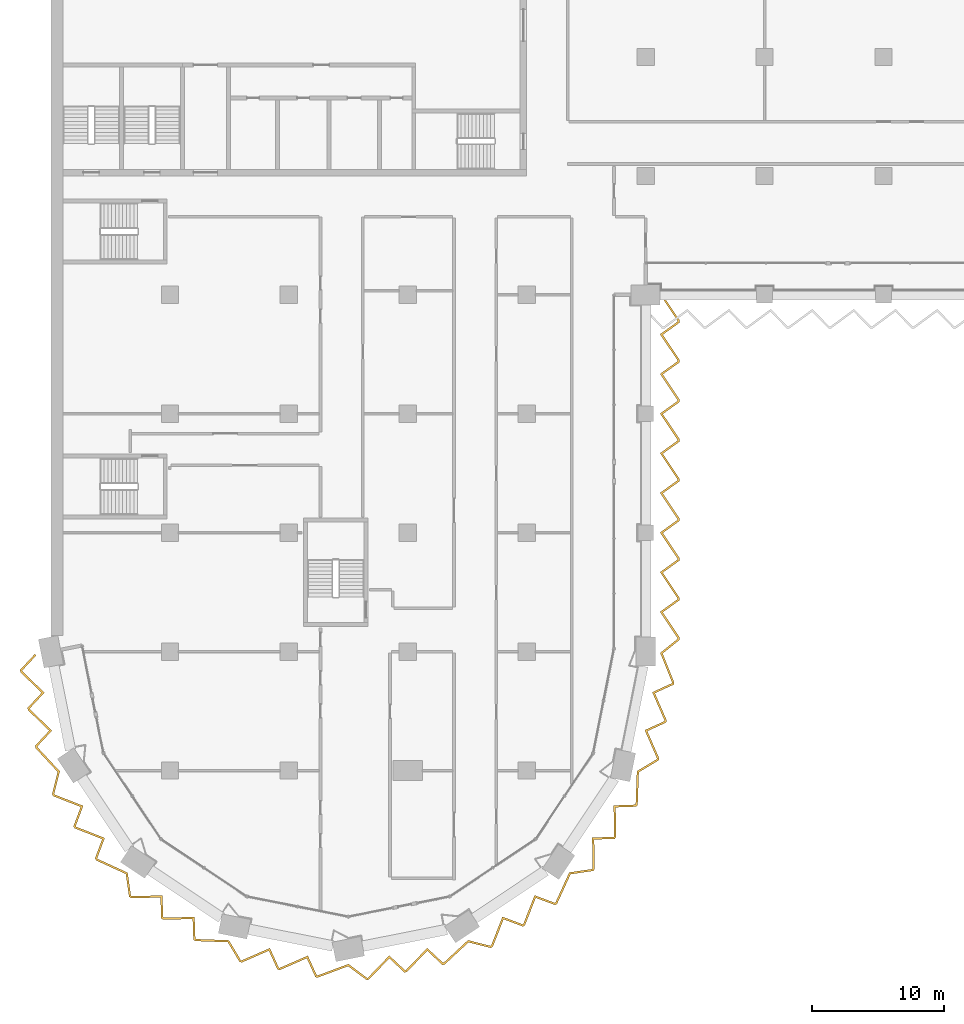
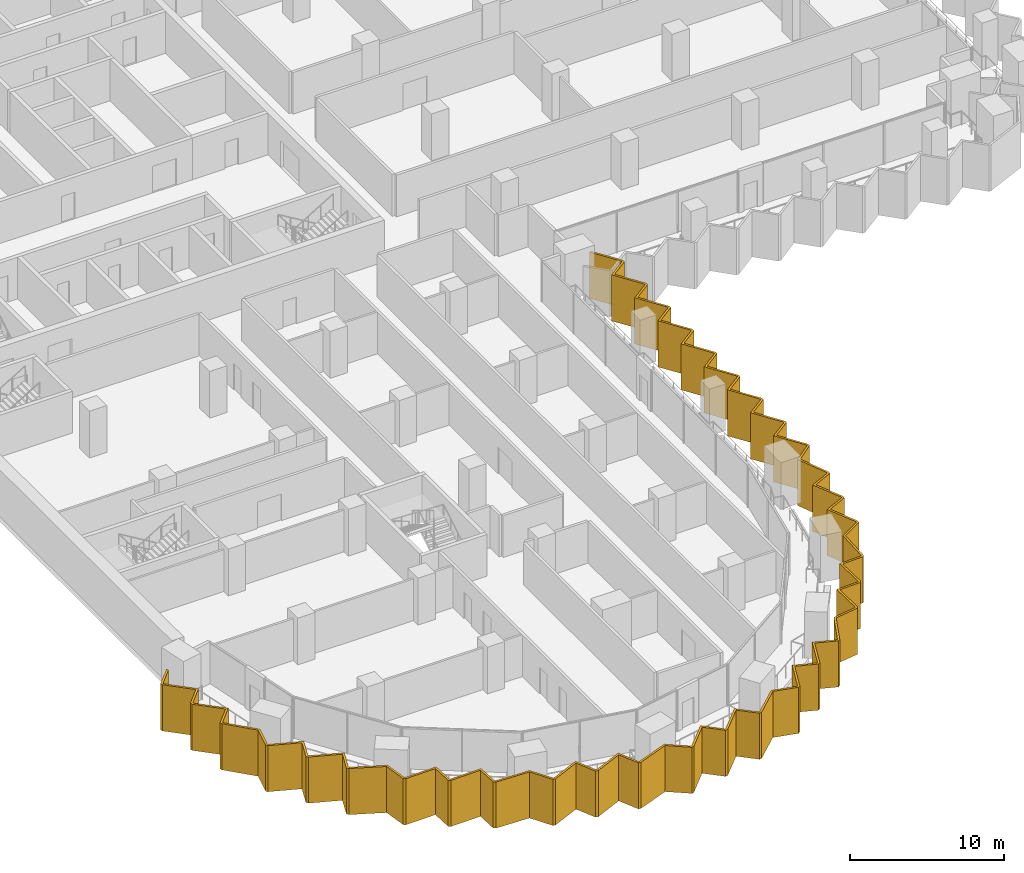
# One storey, part 19 of 23: 1 shading device.
"""IFC4 building model written with IfcOpenShell, lengths in metres."""

from ifc_helpers import new_model, si_unit, direction, frame, origin, place, context, subcontext, project, spatial, polyline, outline, extrude, material, layer, layer_set, type_object, element, save


model = new_model("IFC4")

# Units and contexts
model_context = context("Model", 3, precision=1e-05, world=origin(), true_north=direction((0.0, 1.0)))
body_context = subcontext(model_context, "Body", "Model", "MODEL_VIEW")
ifc_project = project(units=[si_unit("LENGTHUNIT", "METRE"), si_unit("AREAUNIT", "SQUARE_METRE"), si_unit("VOLUMEUNIT", "CUBIC_METRE"), si_unit("PLANEANGLEUNIT", "RADIAN"), si_unit("MASSUNIT", "GRAM", prefix="KILO")], contexts=[model_context])

# Site, building, storey
site_placement = place(None, origin())
site = spatial("IfcSite", under=ifc_project, at=site_placement, CompositionType="ELEMENT")
building_placement = place(site_placement, origin())
building = spatial("IfcBuilding", under=site, at=building_placement, Name="Hunhe Ridgeline Campus", CompositionType="ELEMENT")
storey_placement = place(building_placement, frame((0.0, 0.0, 121.800048828125)))
storey = spatial("IfcBuildingStorey", under=building, at=storey_placement, Name="L30", CompositionType="ELEMENT", Elevation=121.800048828125)

# Shading device
ifc_material = material(Name="Concrete C50", Category="concrete")
ifc_layer = layer(ifc_material, 0.14990234375)
ifc_layer_set = layer_set([ifc_layer], Name="Sawtooth concrete fin 150 Concrete C50")
shading_device_type = type_object("IfcShadingDeviceType", Name="Sawtooth concrete fin 150 Concrete C50", PredefinedType="USERDEFINED", material=ifc_layer_set)
shading_device_placement = place(storey_placement, frame((0.0, 0.0, -0.949951171875)))
element("IfcShadingDevice", 1, at=shading_device_placement, inside=storey, type_object=shading_device_type, Name="Concrete fin screen 1", ObjectType="FIN", PredefinedType="USERDEFINED", context=body_context, shape_type="SweptSolid", body=[
    extrude(outline(polyline([(-1.111083984375, 26.716796875), (-1.220947265625, 26.8193359375), (-2.339599609375, 25.620361328125), (-2.30419921875, 25.442138671875), (-0.7001953125, 23.895263671875), (-1.768798828125, 22.750244140625), (-1.7333984375, 22.572021484375), (-0.12939453125, 21.025146484375), (-1.197998046875, 19.880126953125), (-1.162841796875, 19.703857421875), (0.510009765625, 17.904541015625), (0.081787109375, 16.215576171875), (0.18017578125, 16.068359375), (2.25390625, 15.253173828125), (1.704833984375, 13.78662109375), (1.805908203125, 13.63525390625), (3.879638671875, 12.820068359375), (3.33056640625, 11.353515625), (3.430419921875, 11.203857421875), (5.66455078125, 10.181884765625), (5.915283203125, 8.45751953125), (6.0625, 8.359130859375), (8.290283203125, 8.3994140625), (8.34423828125, 6.83447265625), (8.49560546875, 6.7333984375), (10.7236328125, 6.773681640625), (10.777587890625, 5.208740234375), (10.927001953125, 5.10888671875), (13.38232421875, 5.019287109375), (14.273681640625, 3.522216796875), (14.447265625, 3.48779296875), (16.490234375, 4.377685546875), (17.138916015625, 2.952392578125), (17.3173828125, 2.916748046875), (19.3603515625, 3.806640625), (20.009033203125, 2.38134765625), (20.185302734375, 2.346435546875), (22.48779296875, 3.203369140625), (23.884521484375, 2.161376953125), (24.057861328125, 2.19580078125), (25.604736328125, 3.7998046875), (26.749755859375, 2.731201171875), (26.927978515625, 2.7666015625), (28.474853515625, 4.37060546875), (29.619873046875, 3.302001953125), (29.796142578125, 3.337158203125), (31.595458984375, 5.010009765625), (33.284423828125, 4.581787109375), (33.431640625, 4.68017578125), (34.246826171875, 6.75390625), (35.71337890625, 6.204833984375), (35.86474609375, 6.305908203125), (36.679931640625, 8.379638671875), (38.146484375, 7.83056640625), (38.296142578125, 7.930419921875), (39.318115234375, 10.16455078125), (41.04248046875, 10.415283203125), (41.140869140625, 10.5625), (41.1005859375, 12.790283203125), (42.66552734375, 12.84423828125), (42.7666015625, 12.99560546875), (42.726318359375, 15.2236328125), (44.291259765625, 15.277587890625), (44.39111328125, 15.427001953125), (44.480712890625, 17.88232421875), (45.977783203125, 18.773681640625), (46.01220703125, 18.947265625), (45.122314453125, 20.990234375), (46.547607421875, 21.638916015625), (46.583251953125, 21.8173828125), (45.693359375, 23.8603515625), (47.11865234375, 24.509033203125), (47.15380859375, 24.686279296875), (46.279052734375, 26.859375), (47.56396484375, 27.899169921875), (47.56396484375, 28.077880859375), (46.29150390625, 29.9814453125), (47.56396484375, 30.896484375), (47.56396484375, 31.077880859375), (46.29150390625, 32.9814453125), (47.56396484375, 33.896484375), (47.56396484375, 34.077880859375), (46.29150390625, 35.9814453125), (47.56396484375, 36.896484375), (47.56396484375, 37.077880859375), (46.29150390625, 38.9814453125), (47.56396484375, 39.896484375), (47.56396484375, 40.077880859375), (46.29150390625, 41.9814453125), (47.56396484375, 42.896484375), (47.56396484375, 43.077880859375), (46.29150390625, 44.9814453125), (47.56396484375, 45.896484375), (47.56396484375, 46.077880859375), (46.29150390625, 47.9814453125), (47.56396484375, 48.896484375), (47.56396484375, 49.077880859375), (46.29150390625, 50.9814453125), (47.56396484375, 51.896484375), (47.56396484375, 52.077880859375), (46.251220703125, 54.041748046875), (46.12646484375, 53.958251953125), (47.413818359375, 52.0322265625), (47.413818359375, 51.973388671875), (46.086181640625, 51.0185546875), (47.413818359375, 49.0322265625), (47.413818359375, 48.973388671875), (46.086181640625, 48.0185546875), (47.413818359375, 46.0322265625), (47.413818359375, 45.973388671875), (46.086181640625, 45.0185546875), (47.413818359375, 43.0322265625), (47.413818359375, 42.973388671875), (46.086181640625, 42.0185546875), (47.413818359375, 40.0322265625), (47.413818359375, 39.973388671875), (46.086181640625, 39.0185546875), (47.413818359375, 37.0322265625), (47.413818359375, 36.973388671875), (46.086181640625, 36.0185546875), (47.413818359375, 34.0322265625), (47.413818359375, 33.973388671875), (46.086181640625, 33.0185546875), (47.413818359375, 31.0322265625), (47.413818359375, 30.973388671875), (46.086181640625, 30.0185546875), (47.413818359375, 28.0322265625), (47.413818359375, 27.970703125), (46.0986328125, 26.90625), (46.998046875, 24.671875), (46.986572265625, 24.61376953125), (45.496826171875, 23.935546875), (46.427001953125, 21.800537109375), (46.41552734375, 21.74365234375), (44.926025390625, 21.0654296875), (45.85595703125, 18.930419921875), (45.84375, 18.868408203125), (44.333740234375, 17.96923828125), (44.242919921875, 15.474853515625), (44.20947265625, 15.4248046875), (42.57373046875, 15.368408203125), (42.61572265625, 13.039794921875), (42.58349609375, 12.99169921875), (40.947998046875, 12.935302734375), (40.989990234375, 10.606689453125), (40.955078125, 10.55419921875), (39.2158203125, 10.30126953125), (38.17724609375, 8.031494140625), (38.127197265625, 7.998046875), (36.594482421875, 8.572021484375), (35.7421875, 6.404541015625), (35.694091796875, 6.372314453125), (34.1611328125, 6.946044921875), (33.30908203125, 4.77880859375), (33.256591796875, 4.74365234375), (31.552978515625, 5.175537109375), (29.72509765625, 3.47607421875), (29.666015625, 3.46435546875), (28.469482421875, 4.5810546875), (26.852783203125, 2.904541015625), (26.7958984375, 2.893310546875), (25.599365234375, 4.010009765625), (23.982666015625, 2.333740234375), (23.920654296875, 2.321533203125), (22.51220703125, 3.372314453125), (20.1728515625, 2.501708984375), (20.11376953125, 2.513427734375), (19.435546875, 4.003173828125), (17.300537109375, 3.072998046875), (17.24365234375, 3.08447265625), (16.5654296875, 4.573974609375), (14.430419921875, 3.64404296875), (14.368408203125, 3.65625), (13.46923828125, 5.166259765625), (10.974853515625, 5.257080078125), (10.9248046875, 5.29052734375), (10.868408203125, 6.92626953125), (8.539794921875, 6.88427734375), (8.49169921875, 6.91650390625), (8.435302734375, 8.552001953125), (6.106689453125, 8.510009765625), (6.05419921875, 8.544921875), (5.80126953125, 10.2841796875), (3.531494140625, 11.32275390625), (3.498046875, 11.372802734375), (4.072021484375, 12.905517578125), (1.904541015625, 13.7578125), (1.872314453125, 13.805908203125), (2.446044921875, 15.3388671875), (0.27880859375, 16.19091796875), (0.24365234375, 16.243408203125), (0.675537109375, 17.947021484375), (-1.02392578125, 19.77490234375), (-1.03564453125, 19.833984375), (0.0810546875, 21.030517578125), (-1.595458984375, 22.647216796875), (-1.606689453125, 22.7041015625), (-0.489990234375, 23.900634765625), (-2.166259765625, 25.517333984375), (-2.177490234375, 25.57421875), (-1.111083984375, 26.716796875)])), origin(), (0.0, 0.0, 1.0), 3.64990234375),
])

save(model, "model.ifc")
